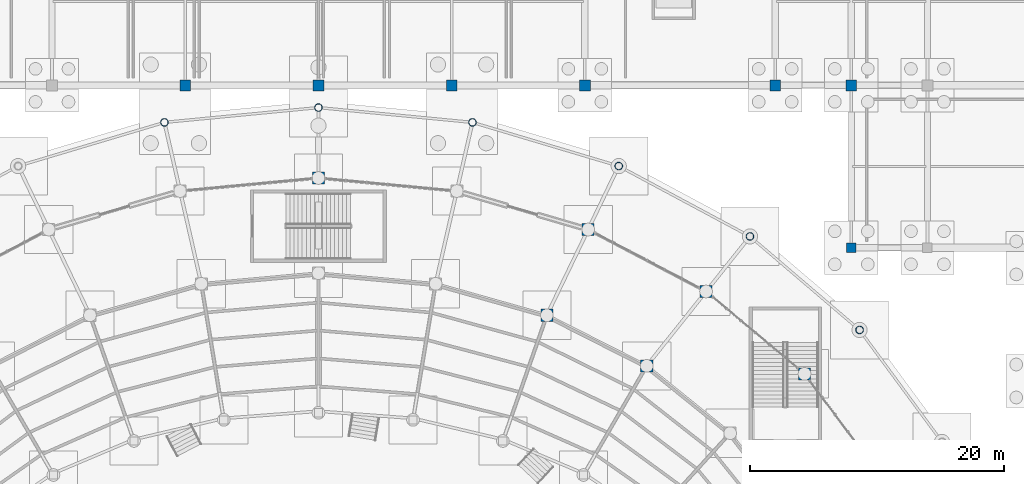
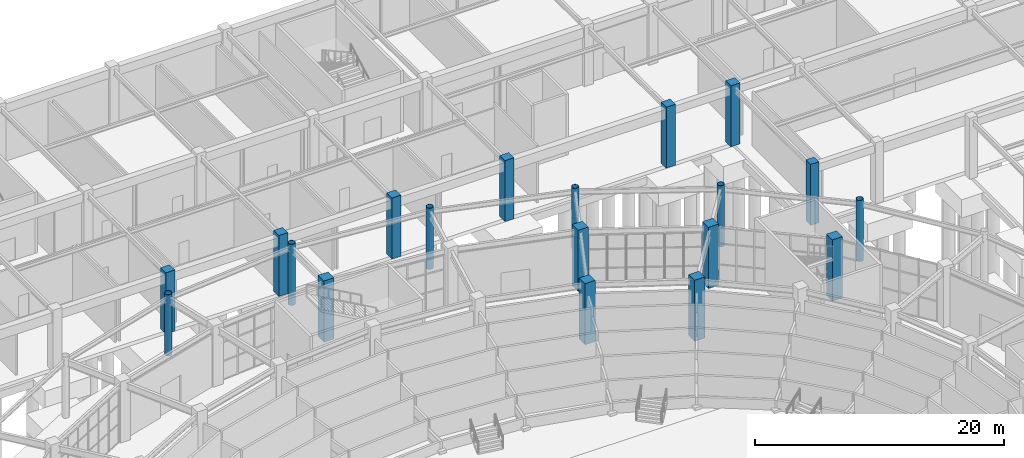
# One storey, part 17 of 121: 19 columns.
"""IFC4 building model written with IfcOpenShell, lengths in metres."""

from ifc_helpers import new_model, si_unit, direction, frame, origin, origin_2d, place, context, subcontext, project, spatial, rectangle, hollow_circle, extrude, material, material_profile, profile_set, type_object, element, save


model = new_model("IFC4")

# Units and contexts
model_context = context("Model", 3, precision=1e-05, world=origin(), true_north=direction((0.0, 1.0)))
body_context = subcontext(model_context, "Body", "Model", "MODEL_VIEW")
ifc_project = project(units=[si_unit("LENGTHUNIT", "METRE"), si_unit("AREAUNIT", "SQUARE_METRE"), si_unit("VOLUMEUNIT", "CUBIC_METRE"), si_unit("PLANEANGLEUNIT", "RADIAN"), si_unit("MASSUNIT", "GRAM", prefix="KILO")], contexts=[model_context])

# Site, building, storey
site_placement = place(None, origin())
site = spatial("IfcSite", under=ifc_project, at=site_placement, CompositionType="ELEMENT")
building_placement = place(site_placement, origin())
building = spatial("IfcBuilding", under=site, at=building_placement, Name="Cuetzalor Civic Arena", CompositionType="ELEMENT")
storey_placement = place(building_placement, origin())
storey = spatial("IfcBuildingStorey", under=building, at=storey_placement, Name="L00", CompositionType="ELEMENT", Elevation=0.0)

# Columns
ifc_material_1 = material(Name="Concrete C40/50", Category="concrete")
ifc_material_profile_1 = material_profile(ifc_material_1, rectangle(XDim=0.75, YDim=0.75, at=origin_2d()), Name="RC 750x750")
ifc_profile_set_1 = profile_set([ifc_material_profile_1], Name="Concrete C40/50")
column_type_1 = type_object("IfcColumnType", Name="ConcreteColumn_750", PredefinedType="COLUMN", material=ifc_profile_set_1)
column_placement = place(storey_placement, frame((42.0, 35.5, 0.0), z_axis=(0.0, 0.0, 1.0), x_axis=(1.0, 0.0, 0.0)))
element("IfcColumn", 1, at=column_placement, inside=storey, type_object=column_type_1, Name="Column V5-C-12-01 L00", PredefinedType="COLUMN", context=body_context, shape_type="SweptSolid", body=[
    extrude(rectangle(XDim=0.75, YDim=0.75, at=origin_2d()), origin(), (0.0, 0.0, 1.0), 6.0),
])
ifc_material_2 = material(Name="Concrete C40/50", Category="concrete")
ifc_material_profile_2 = material_profile(ifc_material_2, rectangle(XDim=0.85009765625, YDim=0.85009765625, at=origin_2d()), Name="RC 850x850")
ifc_profile_set_2 = profile_set([ifc_material_profile_2], Name="Concrete C40/50")
column_type_2 = type_object("IfcColumnType", Name="ConcreteColumn_850", PredefinedType="COLUMN", material=ifc_profile_set_2)
for number, where, z_axis, x_axis, name in (
    (2, (-10.5, 48.300048828125, 0.0), (0.0, 0.0, 1.0), (1.0, 0.0, 0.0), "Column V5-C-07-02 L00"),
    (3, (0.0, 48.300048828125, 0.0), (0.0, 0.0, 1.0), (1.0, 0.0, 0.0), "Column V5-C-08-02 L00"),
    (4, (10.5, 48.300048828125, 0.0), (0.0, 0.0, 1.0), (1.0, 0.0, 0.0), "Column V5-C-09-02 L00"),
    (5, (21.0, 48.300048828125, 0.0), (0.0, 0.0, 1.0), (1.0, 0.0, 0.0), "Column V5-C-10-02 L00"),
    (6, (36.0, 48.300048828125, 0.0), (0.0, 0.0, 1.0), (1.0, 0.0, 0.0), "Column V5-C-11-02 L00"),
    (7, (42.0, 48.300048828125, 0.0), (0.0, 0.0, 1.0), (1.0, 0.0, 0.0), "Column V5-C-12-02 L00"),
):
    element("IfcColumn", number, at=place(storey_placement, frame(where, z_axis=z_axis, x_axis=x_axis)), inside=storey, type_object=column_type_2, Name=name, PredefinedType="COLUMN", context=body_context, shape_type="SweptSolid", body=[
        extrude(rectangle(XDim=0.85009765625, YDim=0.85009765625, at=origin_2d()), origin(), (0.0, 0.0, 1.0), 6.0),
    ])
ifc_material_3 = material(Name="Concrete C40/50", Category="concrete")
ifc_material_profile_3 = material_profile(ifc_material_3, rectangle(XDim=0.949951171875, YDim=0.949951171875, at=origin_2d()), Name="RC 950x950")
ifc_profile_set_3 = profile_set([ifc_material_profile_3], Name="Concrete C40/50")
column_type_3 = type_object("IfcColumnType", Name="ConcreteColumn_950", PredefinedType="COLUMN", material=ifc_profile_set_3)
for number, where, z_axis, x_axis, name in (
    (8, (38.309814453125, 25.56298828125, 0.0), (0.0, 0.0, 1.0), (1.0, 0.0, 0.0), "Column V1-REC-04 L00"),
    (9, (30.551025390625, 32.05517578125, 0.0), (0.0, 0.0, 1.0), (1.0, 0.0, 0.0), "Column V1-REC-05 L00"),
    (10, (25.874755859375, 26.19140625, 0.0), (0.0, 0.0, 1.0), (1.0, 0.0, 0.0), "Column V1-MID-05 L00"),
    (11, (21.26025390625, 36.939697265625, 0.0), (0.0, 0.0, 1.0), (1.0, 0.0, 0.0), "Column V1-REC-06 L00"),
    (12, (18.006103515625, 30.1826171875, 0.0), (0.0, 0.0, 1.0), (1.0, 0.0, 0.0), "Column V1-MID-06 L00"),
    (13, (0.0, 41.0, 0.0), (0.0, 0.0, 1.0), (1.0, 0.0, 0.0), "Column V1-REC-08 L00"),
):
    element("IfcColumn", number, at=place(storey_placement, frame(where, z_axis=z_axis, x_axis=x_axis)), inside=storey, type_object=column_type_3, Name=name, PredefinedType="COLUMN", context=body_context, shape_type="SweptSolid", body=[
        extrude(rectangle(XDim=0.949951171875, YDim=0.949951171875, at=origin_2d()), origin(), (0.0, 0.0, 1.0), 6.0),
    ])
ifc_material_4 = material(Name="Steel S355", Category="steel")
ifc_material_profile_4 = material_profile(ifc_material_4, hollow_circle(Radius=0.304931640625, WallThickness=0.02490234375, at=origin_2d()), Name="CHS 610x25")
ifc_profile_set_4 = profile_set([ifc_material_profile_4], Name="Steel S355")
column_type_4 = type_object("IfcColumnType", Name="SteelDomePylon_CHS610", PredefinedType="COLUMN", material=ifc_profile_set_4)
for number, where, z_axis, x_axis, name in (
    (14, (42.64892578125, 29.0234375, 0.0), (0.0, 0.0, 1.0), (1.0, 0.0, 0.0), "Column V1-PYL-04 L00"),
    (15, (34.011474609375, 36.394287109375, 0.0), (0.0, 0.0, 1.0), (1.0, 0.0, 0.0), "Column V1-PYL-05 L00"),
    (16, (23.66845703125, 41.940185546875, 0.0), (0.0, 0.0, 1.0), (1.0, 0.0, 0.0), "Column V1-PYL-06 L00"),
    (17, (12.138427734375, 45.3828125, 0.0), (0.0, 0.0, 1.0), (1.0, 0.0, 0.0), "Column V1-PYL-07 L00"),
    (18, (0.0, 46.550048828125, 0.0), (0.0, 0.0, 1.0), (1.0, 0.0, 0.0), "Column V1-PYL-08 L00"),
    (19, (-12.138427734375, 45.3828125, 0.0), (0.0, 0.0, 1.0), (1.0, 0.0, 0.0), "Column V1-PYL-09 L00"),
):
    element("IfcColumn", number, at=place(storey_placement, frame(where, z_axis=z_axis, x_axis=x_axis)), inside=storey, type_object=column_type_4, Name=name, PredefinedType="COLUMN", context=body_context, shape_type="SweptSolid", body=[
        extrude(hollow_circle(Radius=0.304931640625, WallThickness=0.02490234375, at=origin_2d()), origin(), (0.0, 0.0, 1.0), 6.0),
    ])

save(model, "model.ifc")
